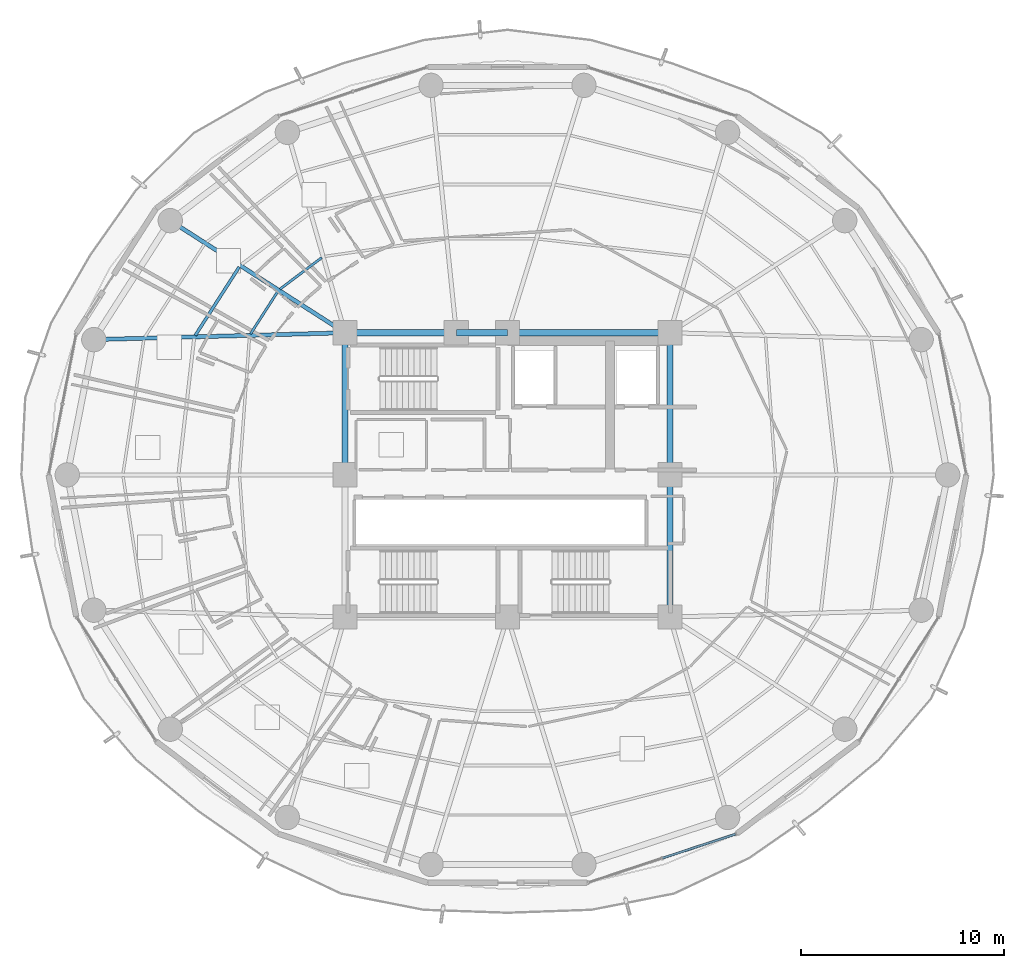
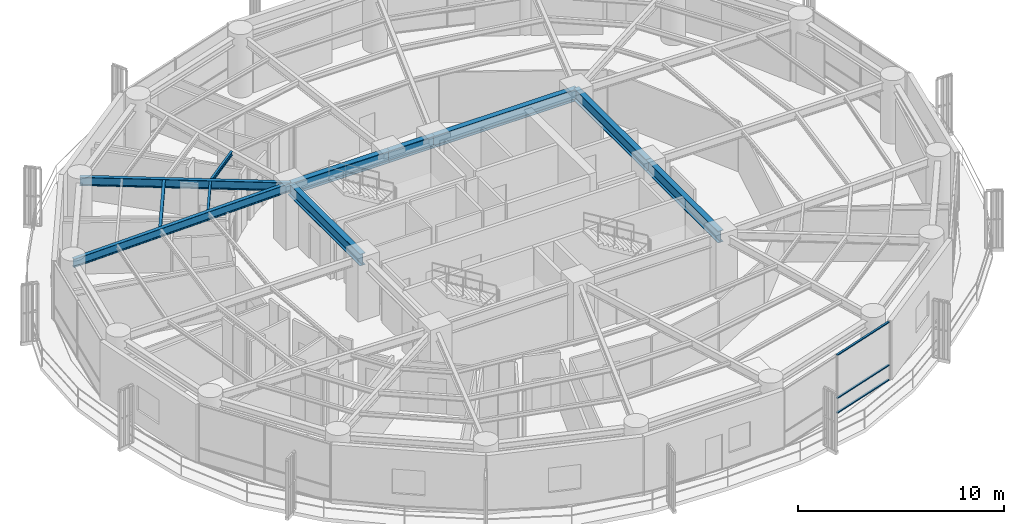
# One storey, part 9 of 29: 11 beams, 3 members, 1 element without a shape of its own.
"""IFC4 building model written with IfcOpenShell, lengths in metres."""

import ifcopenshell
import ifcopenshell.guid

model = None  # the IFC model being written
_history = None  # IfcOwnerHistory: only IFC2X3 demands one
_inside = {}  # id of a spatial element -> (the spatial element, [elements in it])
_under = {}  # id of a project, library or spatial element -> (it, [spatial elements below it])
_declared = {}  # id of a project -> (the project, [libraries it declares])
_typed = {}  # id of a type object -> (the type object, [elements of that type])
_made_of = {}  # id of a material, layer set ... -> (it, [elements and type objects made of it])


def new_model(schema):
    """Start an empty IFC model of exactly this schema.

    Asked for "IFC4X3", IfcOpenShell would pick the latest addendum, in which some entities
    have other attributes; the version numbers below select the first issue.
    IFC2X3 requires an IfcOwnerHistory on every rooted entity: one is made here for all.
    """
    global model, _history
    if schema == "IFC4X3":
        model = ifcopenshell.file(schema_version=(4, 3, 0, 0))
    else:
        model = ifcopenshell.file(schema=schema)
    _inside.clear()
    _under.clear()
    _declared.clear()
    _typed.clear()
    _made_of.clear()
    _history = None
    if model.schema == "IFC2X3":
        org = make("IfcOrganization", Name="unknown")
        user = make(
            "IfcPersonAndOrganization",
            ThePerson=make("IfcPerson", FamilyName="unknown"),
            TheOrganization=org,
        )
        app = make(
            "IfcApplication",
            ApplicationDeveloper=org,
            Version="unknown",
            ApplicationFullName="unknown",
            ApplicationIdentifier="unknown",
        )
        _history = make(
            "IfcOwnerHistory",
            OwningUser=user,
            OwningApplication=app,
            ChangeAction="ADDED",
            CreationDate=0,
        )
    return model


def make(cls, **values):
    """One entity of the class cls with the attributes given. An attribute that is None is left unset."""
    return model.create_entity(
        cls, **{name: value for name, value in values.items() if value is not None}
    )


def rooted(cls, **values):
    """An entity with a GlobalId (a new one), such as an element, a storey or a relation."""
    return make(cls, GlobalId=ifcopenshell.guid.new(), OwnerHistory=_history, **values)


def si_unit(unit_type, name, prefix=None):
    """IfcSIUnit, for example si_unit("LENGTHUNIT", "METRE", prefix="MILLI")."""
    return make("IfcSIUnit", UnitType=unit_type, Prefix=prefix, Name=name)


def assignment(units):
    """IfcUnitAssignment: the units of a project."""
    return None if units is None else make("IfcUnitAssignment", Units=units)


def point(xyz):
    """IfcCartesianPoint."""
    return None if xyz is None else make("IfcCartesianPoint", Coordinates=xyz)


def direction(xyz):
    """IfcDirection."""
    return None if xyz is None else make("IfcDirection", DirectionRatios=xyz)


def frame(location, z_axis=None, x_axis=None):
    """IfcAxis2Placement3D, a coordinate frame: its origin and axes. An axis left out is left unset."""
    return make(
        "IfcAxis2Placement3D",
        Location=point(location),
        Axis=direction(z_axis),
        RefDirection=direction(x_axis),
    )


def frame_2d(location, x_axis=None):
    """IfcAxis2Placement2D, a coordinate frame in the plane: its origin and x axis."""
    return make(
        "IfcAxis2Placement2D", Location=point(location), RefDirection=direction(x_axis)
    )


def origin():
    """The frame at (0, 0, 0) with its axes left unset."""
    return frame((0.0, 0.0, 0.0))


def origin_2d():
    """The frame at (0, 0) in the plane with its x axis left unset."""
    return frame_2d((0.0, 0.0))


def place(relative_to, where):
    """IfcLocalPlacement: puts the frame where relative to a parent placement (None: the world)."""
    return make(
        "IfcLocalPlacement", PlacementRelTo=relative_to, RelativePlacement=where
    )


def context(
    kind, dimensions, precision=None, world=None, true_north=None, identifier=None
):
    """IfcGeometricRepresentationContext, for example the 3D "Model" context."""
    return make(
        "IfcGeometricRepresentationContext",
        ContextIdentifier=identifier,
        ContextType=kind,
        CoordinateSpaceDimension=dimensions,
        Precision=precision,
        WorldCoordinateSystem=world,
        TrueNorth=true_north,
    )


def subcontext(parent, identifier, kind, view, scale=None):
    """IfcGeometricRepresentationSubContext, for example "Body" below "Model"."""
    return make(
        "IfcGeometricRepresentationSubContext",
        ContextIdentifier=identifier,
        ContextType=kind,
        ParentContext=parent,
        TargetScale=scale,
        TargetView=view,
    )


def project(units=None, contexts=None):
    """IfcProject with its units and contexts."""
    return rooted(
        "IfcProject",
        Name="project",
        RepresentationContexts=contexts,
        UnitsInContext=assignment(units),
    )


def spatial(cls, under=None, at=None, **own):
    """A site, building, storey or space (cls), placed at a placement, below another one or the project."""
    s = rooted(cls, ObjectPlacement=at, **own)
    if under is not None:
        _under.setdefault(under.id(), (under, []))[1].append(s)
    return s


def profile(cls, at=None, kind="AREA", **sizes):
    """A parametric profile (cls). Its sizes go by their IFC names, for example OverallWidth=200.0."""
    return make(cls, ProfileType=kind, Position=at, **sizes)


def hollow_rectangle(**sizes):
    """IfcRectangleHollowProfileDef."""
    return profile("IfcRectangleHollowProfileDef", **sizes)


def i_section(**sizes):
    """IfcIShapeProfileDef."""
    return profile("IfcIShapeProfileDef", **sizes)


def extrude(swept, where, along, depth):
    """IfcExtrudedAreaSolid: the profile swept, set in the frame where, extruded along a direction by depth."""
    return make(
        "IfcExtrudedAreaSolid",
        SweptArea=swept,
        Position=where,
        ExtrudedDirection=direction(along),
        Depth=depth,
    )


def shape(context_of_items, identifier, shape_type, items):
    """IfcShapeRepresentation: the items that make up one representation, for example the "Body"."""
    return make(
        "IfcShapeRepresentation",
        ContextOfItems=context_of_items,
        RepresentationIdentifier=identifier,
        RepresentationType=shape_type,
        Items=items,
    )


def material(Name=None, Category=None):
    """IfcMaterial."""
    return make("IfcMaterial", Name=Name, Category=Category)


def layer(
    of_material, thickness, ventilated=None, Name=None, Category=None, Priority=None
):
    """IfcMaterialLayer: one layer of a wall or slab, of a material (None: an air gap)."""
    return make(
        "IfcMaterialLayer",
        Material=of_material,
        LayerThickness=thickness,
        IsVentilated=ventilated,
        Name=Name,
        Category=Category,
        Priority=Priority,
    )


def layer_set(layers, Name=None):
    """IfcMaterialLayerSet."""
    return make("IfcMaterialLayerSet", MaterialLayers=layers, LayerSetName=Name)


def material_profile(
    of_material, cross_section, Name=None, Category=None, Priority=None
):
    """IfcMaterialProfile: a cross section and its material."""
    return make(
        "IfcMaterialProfile",
        Name=Name,
        Material=of_material,
        Profile=cross_section,
        Priority=Priority,
        Category=Category,
    )


def profile_set(profiles, Name=None, composite=None):
    """IfcMaterialProfileSet."""
    return make(
        "IfcMaterialProfileSet",
        Name=Name,
        MaterialProfiles=profiles,
        CompositeProfile=composite,
    )


def made_of(thing, what):
    """Note that an element or type object is made of a material, layer set ...; save() writes the relation."""
    if what is not None:
        _made_of.setdefault(what.id(), (what, []))[1].append(thing)
    return thing


def type_object(cls, material=None, **own):
    """A type object (cls), such as IfcWallType, which elements share."""
    return made_of(rooted(cls, **own), material)


def element(
    cls,
    number,
    at=None,
    inside=None,
    cuts=None,
    type_object=None,
    material=None,
    context=None,
    identifier="Body",
    shape_type=None,
    held_by="IfcProductDefinitionShape",
    body=None,
    shapes=None,
    **own,
):
    """One element of the class cls, such as IfcWall. Its Tag is "e" and its number.

    at: its placement. inside: the storey or other place that contains it. cuts: it is an
    opening in that element (IfcRelVoidsElement). A single representation is given by context,
    identifier, shape_type and body (its items); several are given by shapes. held_by: the class
    of the entity that holds the representations. save() writes the other relations.
    """
    e = rooted(cls, Tag="e%d" % number, ObjectPlacement=at, **own)
    if body is not None:
        shapes = [shape(context, identifier, shape_type, body)]
    if shapes is not None:
        e.Representation = make(held_by, Representations=shapes)
    if inside is not None:
        _inside.setdefault(inside.id(), (inside, []))[1].append(e)
    if cuts is not None:
        rooted(
            "IfcRelVoidsElement", RelatingBuildingElement=cuts, RelatedOpeningElement=e
        )
    if type_object is not None:
        _typed.setdefault(type_object.id(), (type_object, []))[1].append(e)
    return made_of(e, material)


def aggregate(whole, parts):
    """IfcRelAggregates: a whole, such as a stair, and the parts it consists of."""
    return rooted("IfcRelAggregates", RelatingObject=whole, RelatedObjects=parts)


def save(model, path):
    """Write the relations noted so far, then the file.

    IfcRelAggregates (storeys below a building ...), IfcRelContainedInSpatialStructure (elements
    in a storey), IfcRelDefinesByType, IfcRelAssociatesMaterial and IfcRelDeclares: one each for
    every whole, place, type object, material and project.
    """
    for whole, parts in _under.values():
        aggregate(whole, parts)
    for where, things in _inside.values():
        rooted(
            "IfcRelContainedInSpatialStructure",
            RelatedElements=things,
            RelatingStructure=where,
        )
    for kind, things in _typed.values():
        rooted("IfcRelDefinesByType", RelatedObjects=things, RelatingType=kind)
    for what, things in _made_of.values():
        rooted("IfcRelAssociatesMaterial", RelatedObjects=things, RelatingMaterial=what)
    for by, libraries in _declared.values():
        rooted("IfcRelDeclares", RelatingContext=by, RelatedDefinitions=libraries)
    model.write(path)


model = new_model("IFC4")

# Units and contexts
model_context = context("Model", 3, precision=1e-05, world=origin(), true_north=direction((0.0, 1.0)))
body_context = subcontext(model_context, "Body", "Model", "MODEL_VIEW")
ifc_project = project(units=[si_unit("LENGTHUNIT", "METRE"), si_unit("AREAUNIT", "SQUARE_METRE"), si_unit("VOLUMEUNIT", "CUBIC_METRE"), si_unit("PLANEANGLEUNIT", "RADIAN"), si_unit("MASSUNIT", "GRAM", prefix="KILO")], contexts=[model_context])

# Site, building, storey
site_placement = place(None, origin())
site = spatial("IfcSite", under=ifc_project, at=site_placement, CompositionType="ELEMENT")
building_placement = place(site_placement, origin())
building = spatial("IfcBuilding", under=site, at=building_placement, Name="Kelanora Arch Commons", CompositionType="ELEMENT")
storey_placement = place(building_placement, frame((0.0, 0.0, 135.60009765625)))
storey = spatial("IfcBuildingStorey", under=building, at=storey_placement, Name="L34", CompositionType="ELEMENT", Elevation=135.60009765625)

# Beams
ifc_material_1 = material(Name="Steel S355", Category="steel")
ifc_material_profile_1 = material_profile(ifc_material_1, i_section(OverallWidth=0.300048828125, OverallDepth=0.699951171875, WebThickness=0.01708984375, FlangeThickness=0.031982421875, FilletRadius=0.027099609375, at=origin_2d()), Name="HEB700")
ifc_profile_set_1 = profile_set([ifc_material_profile_1], Name="Steel S355")
beam_type_1 = type_object("IfcBeamType", Name="BM-CORE-HDR", PredefinedType="BEAM", material=ifc_profile_set_1)
for number, where, z_axis, x_axis, name in (
    (1, (82.0, 51.0, 3.139892578125), (0.0, 1.0, 0.0), (-1.0, 0.0, 0.0), "Core Header Beam 03 L34"),
    (2, (82.0, 58.0, 3.139892578125), (0.0, 1.0, 0.0), (-1.0, 0.0, 0.0), "Core Header Beam 04 L34"),
):
    element("IfcBeam", number, at=place(storey_placement, frame(where, z_axis=z_axis, x_axis=x_axis)), inside=storey, type_object=beam_type_1, Name=name, PredefinedType="BEAM", context=body_context, shape_type="SweptSolid", body=[
        extrude(i_section(OverallWidth=0.300048828125, OverallDepth=0.699951171875, WebThickness=0.01708984375, FlangeThickness=0.031982421875, FilletRadius=0.027099609375, at=origin_2d()), origin(), (0.0, 0.0, 1.0), 7.0),
    ])
beam_1_placement = place(storey_placement, frame((82.0, 65.0, 3.139892578125), z_axis=(-1.0, 0.0, 0.0), x_axis=(0.0, -1.0, 0.0)))
element("IfcBeam", 3, at=beam_1_placement, inside=storey, type_object=beam_type_1, Name="Core Header Beam 05 L34", PredefinedType="BEAM", context=body_context, shape_type="SweptSolid", body=[
    extrude(i_section(OverallWidth=0.300048828125, OverallDepth=0.699951171875, WebThickness=0.01708984375, FlangeThickness=0.031982421875, FilletRadius=0.027099609375, at=origin_2d()), origin(), (0.0, 0.0, 1.0), 8.0),
])
beam_2_placement = place(storey_placement, frame((74.0, 65.0, 3.139892578125), z_axis=(-1.0, 0.0, 0.0), x_axis=(0.0, -1.0, 0.0)))
element("IfcBeam", 4, at=beam_2_placement, inside=storey, type_object=beam_type_1, Name="Core Header Beam 06 L34", PredefinedType="BEAM", context=body_context, shape_type="SweptSolid", body=[
    extrude(i_section(OverallWidth=0.300048828125, OverallDepth=0.699951171875, WebThickness=0.01708984375, FlangeThickness=0.031982421875, FilletRadius=0.027099609375, at=origin_2d()), origin(), (0.0, 0.0, 1.0), 2.52001953125),
])
beam_3_placement = place(storey_placement, frame((71.47998046875, 65.0, 3.139892578125), z_axis=(-1.0, 0.0, 0.0), x_axis=(0.0, -1.0, 0.0)))
element("IfcBeam", 5, at=beam_3_placement, inside=storey, type_object=beam_type_1, Name="Core Header Beam 07 L34", PredefinedType="BEAM", context=body_context, shape_type="SweptSolid", body=[
    extrude(i_section(OverallWidth=0.300048828125, OverallDepth=0.699951171875, WebThickness=0.01708984375, FlangeThickness=0.031982421875, FilletRadius=0.027099609375, at=origin_2d()), origin(), (0.0, 0.0, 1.0), 5.47998046875),
])
beam_4_placement = place(storey_placement, frame((66.0, 65.0, 3.139892578125), z_axis=(0.0, -1.0, 0.0), x_axis=(1.0, 0.0, 0.0)))
element("IfcBeam", 6, at=beam_4_placement, inside=storey, type_object=beam_type_1, Name="Core Header Beam 08 L34", PredefinedType="BEAM", context=body_context, shape_type="SweptSolid", body=[
    extrude(i_section(OverallWidth=0.300048828125, OverallDepth=0.699951171875, WebThickness=0.01708984375, FlangeThickness=0.031982421875, FilletRadius=0.027099609375, at=origin_2d()), origin(), (0.0, 0.0, 1.0), 7.0),
])
ifc_material_profile_2 = material_profile(ifc_material_1, i_section(OverallWidth=0.14990234375, OverallDepth=0.300048828125, WebThickness=0.007080078125, FlangeThickness=0.0107421875, FilletRadius=0.014892578125, at=origin_2d()), Name="IPE300")
ifc_profile_set_2 = profile_set([ifc_material_profile_2], Name="Steel S355")
beam_type_2 = type_object("IfcBeamType", Name="BM-JST-01", PredefinedType="JOIST", material=ifc_profile_set_2)
beam_5_placement = place(storey_placement, frame((60.789306640625, 68.241455078125, 3.33984375), z_axis=(-0.540594434398, -0.841283339606, 0.0), x_axis=(0.841283339606, -0.540594434398, 0.0)))
element("IfcBeam", 7, at=beam_5_placement, inside=storey, type_object=beam_type_2, Name="Secondary Chord Joist BJB-14 L34", PredefinedType="JOIST", context=body_context, shape_type="SweptSolid", body=[
    extrude(i_section(OverallWidth=0.14990234375, OverallDepth=0.300048828125, WebThickness=0.007080078125, FlangeThickness=0.0107421875, FilletRadius=0.014892578125, at=origin_2d()), origin(), (0.0, 0.0, 1.0), 4.008544921875),
])
ifc_material_profile_3 = material_profile(ifc_material_1, i_section(OverallWidth=0.1201171875, OverallDepth=0.239990234375, WebThickness=0.006103515625, FlangeThickness=0.009765625, FilletRadius=0.014892578125, at=origin_2d()), Name="IPE240")
ifc_profile_set_3 = profile_set([ifc_material_profile_3], Name="Steel S355")
beam_type_3 = type_object("IfcBeamType", Name="BM-JST-02", PredefinedType="JOIST", material=ifc_profile_set_3)
beam_6_placement = place(storey_placement, frame((64.852783203125, 68.699462890625, 3.369873046875), z_axis=(-0.798484118859, -0.602015873487, 0.0), x_axis=(0.602015873487, -0.798484118859, 0.0)))
element("IfcBeam", 8, at=beam_6_placement, inside=storey, type_object=beam_type_3, Name="Secondary Chord Joist BJA-12 L34", PredefinedType="JOIST", context=body_context, shape_type="SweptSolid", body=[
    extrude(i_section(OverallWidth=0.1201171875, OverallDepth=0.239990234375, WebThickness=0.006103515625, FlangeThickness=0.009765625, FilletRadius=0.014892578125, at=origin_2d()), origin(), (0.0, 0.0, 1.0), 2.57470703125),
])
beam_7_placement = place(storey_placement, frame((62.68310546875, 67.026611328125, 3.369873046875), z_axis=(-0.540583174025, -0.841290575224, 0.0), x_axis=(0.841290575224, -0.540583174025, 0.0)))
element("IfcBeam", 9, at=beam_7_placement, inside=storey, type_object=beam_type_3, Name="Secondary Chord Joist BJA-14 L34", PredefinedType="JOIST", context=body_context, shape_type="SweptSolid", body=[
    extrude(i_section(OverallWidth=0.1201171875, OverallDepth=0.239990234375, WebThickness=0.006103515625, FlangeThickness=0.009765625, FilletRadius=0.014892578125, at=origin_2d()), origin(), (0.0, 0.0, 1.0), 2.476318359375),
])
ifc_material_profile_4 = material_profile(ifc_material_1, i_section(OverallWidth=0.199951171875, OverallDepth=0.5, WebThickness=0.01025390625, FlangeThickness=0.01611328125, FilletRadius=0.02099609375, at=origin_2d()), Name="IPE500")
ifc_profile_set_4 = profile_set([ifc_material_profile_4], Name="Steel S355")
beam_type_4 = type_object("IfcBeamType", Name="BM-RAD-Z3", PredefinedType="BEAM", material=ifc_profile_set_4)
beam_8_placement = place(storey_placement, frame((66.0, 65.0, 3.239990234375), z_axis=(-0.841719465748, 0.539915123868, 0.0), x_axis=(-0.539915123868, -0.841719465748, 0.0)))
element("IfcBeam", 10, at=beam_8_placement, inside=storey, type_object=beam_type_4, Name="Radial Floor Girder BR-14 L34", PredefinedType="BEAM", context=body_context, shape_type="SweptSolid", body=[
    extrude(i_section(OverallWidth=0.199951171875, OverallDepth=0.5, WebThickness=0.01025390625, FlangeThickness=0.01611328125, FilletRadius=0.02099609375, at=origin_2d()), origin(), (0.0, 0.0, 1.0), 10.2265625),
])
beam_9_placement = place(storey_placement, frame((66.0, 65.0, 3.239990234375), z_axis=(-0.999628374924, -0.027260081577, 0.0), x_axis=(0.027260081577, -0.999628374924, 0.0)))
element("IfcBeam", 11, at=beam_9_placement, inside=storey, type_object=beam_type_4, Name="Radial Floor Girder BR-16 L34", PredefinedType="BEAM", context=body_context, shape_type="SweptSolid", body=[
    extrude(i_section(OverallWidth=0.199951171875, OverallDepth=0.5, WebThickness=0.01025390625, FlangeThickness=0.01611328125, FilletRadius=0.02099609375, at=origin_2d()), origin(), (0.0, 0.0, 1.0), 12.377197265625),
])

# Curtain wall, members
ifc_material_2 = material(Name="Terracotta ceramic-fritted low-E glass and aluminium", Category="masonry")
ifc_layer = layer(ifc_material_2, 0.175048828125)
ifc_layer_set = layer_set([ifc_layer], Name="Terracotta ceramic-fritted low-E glass and aluminium")
curtain_wall_type = type_object("IfcCurtainWallType", Name="CW-SYS-02", PredefinedType="NOTDEFINED", material=ifc_layer_set)
curtain_wall_placement = place(storey_placement, origin())
curtain_wall = element("IfcCurtainWall", 12, at=curtain_wall_placement, inside=storey, type_object=curtain_wall_type, Name="Unitised Curtain Wall L34-B14", PredefinedType="NOTDEFINED")
ifc_material_3 = material(Name="Powder-coated aluminium terracotta", Category="masonry")
ifc_material_profile_5 = material_profile(ifc_material_3, hollow_rectangle(XDim=0.1201171875, YDim=0.06005859375, WallThickness=0.0048828125, InnerFilletRadius=0.0048828125, OuterFilletRadius=0.010009765625, at=origin_2d()), Name="CWT120x60")
ifc_profile_set_5 = profile_set([ifc_material_profile_5], Name="Powder-coated aluminium terracotta")
member_type = type_object("IfcMemberType", Name="CWT-STD", PredefinedType="USERDEFINED", material=ifc_profile_set_5)
member_1_placement = place(storey_placement, frame((81.640625, 39.130859375, 0.02978515625), z_axis=(0.950051191155, 0.312094111104, 0.0), x_axis=(-0.312094111104, 0.950051191155, 0.0)))
member_1 = element("IfcMember", 13, at=member_1_placement, type_object=member_type, Name="CW-02 transom 2.1", ObjectType="TRANSOM", PredefinedType="USERDEFINED", context=body_context, shape_type="SweptSolid", body=[
    extrude(hollow_rectangle(XDim=0.1201171875, YDim=0.06005859375, WallThickness=0.0048828125, InnerFilletRadius=0.0048828125, OuterFilletRadius=0.010009765625, at=origin_2d()), origin(), (0.0, 0.0, 1.0), 3.77685546875),
])
member_2_placement = place(storey_placement, frame((81.640625, 39.130859375, 0.89990234375), z_axis=(0.950051191155, 0.312094111104, 0.0), x_axis=(-0.312094111104, 0.950051191155, 0.0)))
member_2 = element("IfcMember", 14, at=member_2_placement, type_object=member_type, Name="CW-02 transom 2.2", ObjectType="TRANSOM", PredefinedType="USERDEFINED", context=body_context, shape_type="SweptSolid", body=[
    extrude(hollow_rectangle(XDim=0.1201171875, YDim=0.06005859375, WallThickness=0.0048828125, InnerFilletRadius=0.0048828125, OuterFilletRadius=0.010009765625, at=origin_2d()), origin(), (0.0, 0.0, 1.0), 3.77685546875),
])
member_3_placement = place(storey_placement, frame((81.640625, 39.130859375, 3.44482421875), z_axis=(0.950051191155, 0.312094111104, 0.0), x_axis=(-0.312094111104, 0.950051191155, 0.0)))
member_3 = element("IfcMember", 15, at=member_3_placement, type_object=member_type, Name="CW-02 transom 2.3", ObjectType="TRANSOM", PredefinedType="USERDEFINED", context=body_context, shape_type="SweptSolid", body=[
    extrude(hollow_rectangle(XDim=0.1201171875, YDim=0.06005859375, WallThickness=0.0048828125, InnerFilletRadius=0.0048828125, OuterFilletRadius=0.010009765625, at=origin_2d()), origin(), (0.0, 0.0, 1.0), 3.77685546875),
])
aggregate(curtain_wall, [member_1, member_2, member_3])

save(model, "model.ifc")
